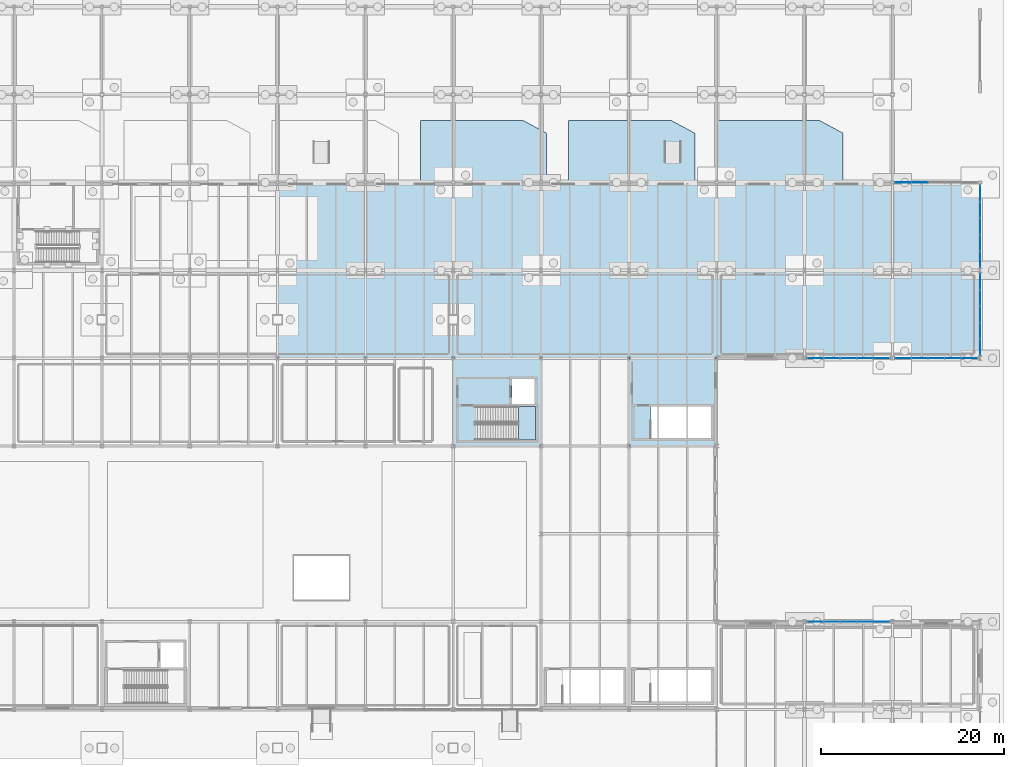
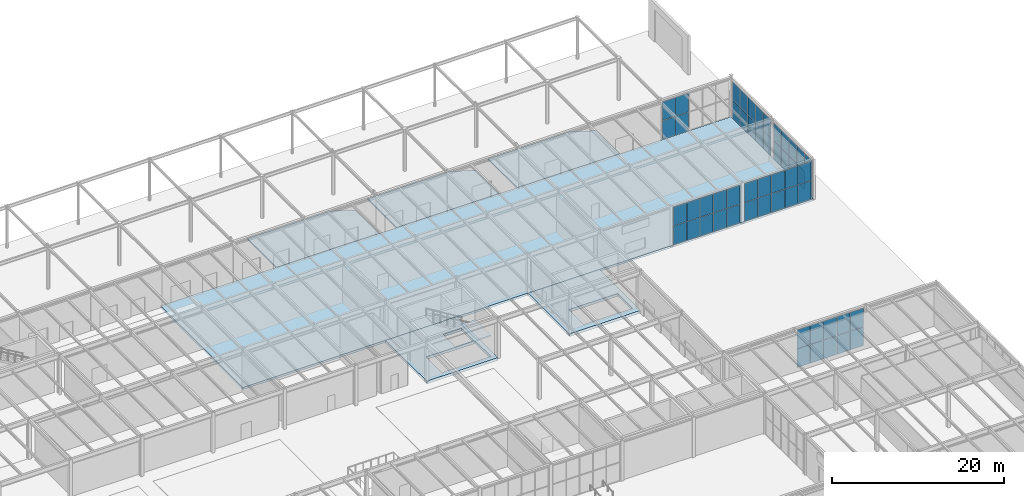
# One storey, part 111 of 142: 54 plates, 7 slabs, 7 elements without a shape of their own.
"""IFC4 building model written with IfcOpenShell, lengths in metres."""

from ifc_helpers import new_model, si_unit, direction, frame, origin, origin_2d, place, context, subcontext, project, spatial, polyline, rectangle, outline, extrude, material, layer, layer_set, type_object, element, aggregate, save


model = new_model("IFC4")

# Units and contexts
model_context = context("Model", 3, precision=1e-05, world=origin(), true_north=direction((0.0, 1.0)))
body_context = subcontext(model_context, "Body", "Model", "MODEL_VIEW")
ifc_project = project(units=[si_unit("LENGTHUNIT", "METRE"), si_unit("AREAUNIT", "SQUARE_METRE"), si_unit("VOLUMEUNIT", "CUBIC_METRE"), si_unit("PLANEANGLEUNIT", "RADIAN"), si_unit("MASSUNIT", "GRAM", prefix="KILO")], contexts=[model_context])

# Site, building, storey
site_placement = place(None, origin())
site = spatial("IfcSite", under=ifc_project, at=site_placement, CompositionType="ELEMENT")
building_placement = place(site_placement, origin())
building = spatial("IfcBuilding", under=site, at=building_placement, Name="Coralgate Yard Interchange", CompositionType="ELEMENT")
storey_placement = place(building_placement, origin())
storey = spatial("IfcBuildingStorey", under=building, at=storey_placement, Name="L00", CompositionType="ELEMENT", Elevation=0.0)

# Curtain wall, plates
ifc_material_1 = material(Name="Anodised coastal aluminium and solar-control low-E glass", Category="aluminium")
curtain_wall_type_1 = type_object("IfcCurtainWallType", Name="CW-CW-L00-A", PredefinedType="NOTDEFINED", material=ifc_material_1)
curtain_wall_1_placement = place(storey_placement, origin())
curtain_wall_1 = element("IfcCurtainWall", 1, at=curtain_wall_1_placement, inside=storey, type_object=curtain_wall_type_1, Name="L00 unitised curtain wall CW-L00-N-17-04", PredefinedType="NOTDEFINED")
ifc_material_2 = material(Name="Solar-control double-glazed low-E glass unit", Category="glass")
ifc_layer_1 = layer(ifc_material_2, 0.0419921875)
ifc_layer_set_1 = layer_set([ifc_layer_1], Name="Solar-control double-glazed low-E glass unit")
plate_type = type_object("IfcPlateType", Name="PLT-CP-42", PredefinedType="CURTAIN_PANEL", material=ifc_layer_set_1)
plate_1_placement = place(storey_placement, frame((164.39990234375, 48.0, 0.025146484375), z_axis=(0.0, 0.0, 1.0), x_axis=(1.0, 0.0, 0.0)))
plate_1 = element("IfcPlate", 2, at=plate_1_placement, type_object=plate_type, Name="CW-L00-N-17-04 solar-control glazing panel 1-1", PredefinedType="CURTAIN_PANEL", context=body_context, shape_type="SweptSolid", body=[
    extrude(rectangle(XDim=1.75, YDim=0.0419921875, at=origin_2d()), origin(), (0.0, 0.0, 1.0), 2.64990234375),
])
plate_2_placement = place(storey_placement, frame((164.39990234375, 48.0, 2.72509765625), z_axis=(0.0, 0.0, 1.0), x_axis=(1.0, 0.0, 0.0)))
plate_2 = element("IfcPlate", 3, at=plate_2_placement, type_object=plate_type, Name="CW-L00-N-17-04 solar-control glazing panel 1-2", PredefinedType="CURTAIN_PANEL", context=body_context, shape_type="SweptSolid", body=[
    extrude(rectangle(XDim=1.75, YDim=0.0419921875, at=origin_2d()), origin(), (0.0, 0.0, 1.0), 2.64990234375),
])
plate_3_placement = place(storey_placement, frame((166.199951171875, 48.0, 0.025146484375), z_axis=(0.0, 0.0, 1.0), x_axis=(1.0, 0.0, 0.0)))
plate_3 = element("IfcPlate", 4, at=plate_3_placement, type_object=plate_type, Name="CW-L00-N-17-04 solar-control glazing panel 2-1", PredefinedType="CURTAIN_PANEL", context=body_context, shape_type="SweptSolid", body=[
    extrude(rectangle(XDim=1.75, YDim=0.0419921875, at=origin_2d()), origin(), (0.0, 0.0, 1.0), 2.64990234375),
])
plate_4_placement = place(storey_placement, frame((166.199951171875, 48.0, 2.72509765625), z_axis=(0.0, 0.0, 1.0), x_axis=(1.0, 0.0, 0.0)))
plate_4 = element("IfcPlate", 5, at=plate_4_placement, type_object=plate_type, Name="CW-L00-N-17-04 solar-control glazing panel 2-2", PredefinedType="CURTAIN_PANEL", context=body_context, shape_type="SweptSolid", body=[
    extrude(rectangle(XDim=1.75, YDim=0.0419921875, at=origin_2d()), origin(), (0.0, 0.0, 1.0), 2.64990234375),
])
plate_5_placement = place(storey_placement, frame((168.0, 48.0, 0.025146484375), z_axis=(0.0, 0.0, 1.0), x_axis=(1.0, 0.0, 0.0)))
plate_5 = element("IfcPlate", 6, at=plate_5_placement, type_object=plate_type, Name="CW-L00-N-17-04 solar-control glazing panel 3-1", PredefinedType="CURTAIN_PANEL", context=body_context, shape_type="SweptSolid", body=[
    extrude(rectangle(XDim=1.75, YDim=0.0419921875, at=origin_2d()), origin(), (0.0, 0.0, 1.0), 2.64990234375),
])
plate_6_placement = place(storey_placement, frame((168.0, 48.0, 2.72509765625), z_axis=(0.0, 0.0, 1.0), x_axis=(1.0, 0.0, 0.0)))
plate_6 = element("IfcPlate", 7, at=plate_6_placement, type_object=plate_type, Name="CW-L00-N-17-04 solar-control glazing panel 3-2", PredefinedType="CURTAIN_PANEL", context=body_context, shape_type="SweptSolid", body=[
    extrude(rectangle(XDim=1.75, YDim=0.0419921875, at=origin_2d()), origin(), (0.0, 0.0, 1.0), 2.64990234375),
])
plate_7_placement = place(storey_placement, frame((169.800048828125, 48.0, 0.025146484375), z_axis=(0.0, 0.0, 1.0), x_axis=(1.0, 0.0, 0.0)))
plate_7 = element("IfcPlate", 8, at=plate_7_placement, type_object=plate_type, Name="CW-L00-N-17-04 solar-control glazing panel 4-1", PredefinedType="CURTAIN_PANEL", context=body_context, shape_type="SweptSolid", body=[
    extrude(rectangle(XDim=1.75, YDim=0.0419921875, at=origin_2d()), origin(), (0.0, 0.0, 1.0), 2.64990234375),
])
plate_8_placement = place(storey_placement, frame((169.800048828125, 48.0, 2.72509765625), z_axis=(0.0, 0.0, 1.0), x_axis=(1.0, 0.0, 0.0)))
plate_8 = element("IfcPlate", 9, at=plate_8_placement, type_object=plate_type, Name="CW-L00-N-17-04 solar-control glazing panel 4-2", PredefinedType="CURTAIN_PANEL", context=body_context, shape_type="SweptSolid", body=[
    extrude(rectangle(XDim=1.75, YDim=0.0419921875, at=origin_2d()), origin(), (0.0, 0.0, 1.0), 2.64990234375),
])
plate_9_placement = place(storey_placement, frame((171.60009765625, 48.0, 0.025146484375), z_axis=(0.0, 0.0, 1.0), x_axis=(1.0, 0.0, 0.0)))
plate_9 = element("IfcPlate", 10, at=plate_9_placement, type_object=plate_type, Name="CW-L00-N-17-04 solar-control glazing panel 5-1", PredefinedType="CURTAIN_PANEL", context=body_context, shape_type="SweptSolid", body=[
    extrude(rectangle(XDim=1.75, YDim=0.0419921875, at=origin_2d()), origin(), (0.0, 0.0, 1.0), 2.64990234375),
])
plate_10_placement = place(storey_placement, frame((171.60009765625, 48.0, 2.72509765625), z_axis=(0.0, 0.0, 1.0), x_axis=(1.0, 0.0, 0.0)))
plate_10 = element("IfcPlate", 11, at=plate_10_placement, type_object=plate_type, Name="CW-L00-N-17-04 solar-control glazing panel 5-2", PredefinedType="CURTAIN_PANEL", context=body_context, shape_type="SweptSolid", body=[
    extrude(rectangle(XDim=1.75, YDim=0.0419921875, at=origin_2d()), origin(), (0.0, 0.0, 1.0), 2.64990234375),
])
aggregate(curtain_wall_1, [plate_1, plate_2, plate_3, plate_4, plate_5, plate_6, plate_7, plate_8, plate_9, plate_10])

curtain_wall_type_2 = type_object("IfcCurtainWallType", Name="CW-CW-L00-B", PredefinedType="NOTDEFINED", material=ifc_material_1)
curtain_wall_2_placement = place(storey_placement, origin())
curtain_wall_2 = element("IfcCurtainWall", 12, at=curtain_wall_2_placement, inside=storey, type_object=curtain_wall_type_2, Name="L00 unitised curtain wall CW-L00-S-17-08", PredefinedType="NOTDEFINED")
plate_11_placement = place(storey_placement, frame((171.60009765625, 76.800048828125, 0.025146484375), z_axis=(0.0, 0.0, 1.0), x_axis=(-1.0, 0.0, 0.0)))
plate_11 = element("IfcPlate", 13, at=plate_11_placement, type_object=plate_type, Name="CW-L00-S-17-08 solar-control glazing panel 1-1", PredefinedType="CURTAIN_PANEL", context=body_context, shape_type="SweptSolid", body=[
    extrude(rectangle(XDim=1.75, YDim=0.0419921875, at=origin_2d()), origin(), (0.0, 0.0, 1.0), 2.64990234375),
])
plate_12_placement = place(storey_placement, frame((171.60009765625, 76.800048828125, 2.72509765625), z_axis=(0.0, 0.0, 1.0), x_axis=(-1.0, 0.0, 0.0)))
plate_12 = element("IfcPlate", 14, at=plate_12_placement, type_object=plate_type, Name="CW-L00-S-17-08 solar-control glazing panel 1-2", PredefinedType="CURTAIN_PANEL", context=body_context, shape_type="SweptSolid", body=[
    extrude(rectangle(XDim=1.75, YDim=0.0419921875, at=origin_2d()), origin(), (0.0, 0.0, 1.0), 2.64990234375),
])
plate_13_placement = place(storey_placement, frame((169.800048828125, 76.800048828125, 0.025146484375), z_axis=(0.0, 0.0, 1.0), x_axis=(-1.0, 0.0, 0.0)))
plate_13 = element("IfcPlate", 15, at=plate_13_placement, type_object=plate_type, Name="CW-L00-S-17-08 solar-control glazing panel 2-1", PredefinedType="CURTAIN_PANEL", context=body_context, shape_type="SweptSolid", body=[
    extrude(rectangle(XDim=1.75, YDim=0.0419921875, at=origin_2d()), origin(), (0.0, 0.0, 1.0), 2.64990234375),
])
plate_14_placement = place(storey_placement, frame((169.800048828125, 76.800048828125, 2.72509765625), z_axis=(0.0, 0.0, 1.0), x_axis=(-1.0, 0.0, 0.0)))
plate_14 = element("IfcPlate", 16, at=plate_14_placement, type_object=plate_type, Name="CW-L00-S-17-08 solar-control glazing panel 2-2", PredefinedType="CURTAIN_PANEL", context=body_context, shape_type="SweptSolid", body=[
    extrude(rectangle(XDim=1.75, YDim=0.0419921875, at=origin_2d()), origin(), (0.0, 0.0, 1.0), 2.64990234375),
])
plate_15_placement = place(storey_placement, frame((168.0, 76.800048828125, 0.025146484375), z_axis=(0.0, 0.0, 1.0), x_axis=(-1.0, 0.0, 0.0)))
plate_15 = element("IfcPlate", 17, at=plate_15_placement, type_object=plate_type, Name="CW-L00-S-17-08 solar-control glazing panel 3-1", PredefinedType="CURTAIN_PANEL", context=body_context, shape_type="SweptSolid", body=[
    extrude(rectangle(XDim=1.75, YDim=0.0419921875, at=origin_2d()), origin(), (0.0, 0.0, 1.0), 2.64990234375),
])
plate_16_placement = place(storey_placement, frame((168.0, 76.800048828125, 2.72509765625), z_axis=(0.0, 0.0, 1.0), x_axis=(-1.0, 0.0, 0.0)))
plate_16 = element("IfcPlate", 18, at=plate_16_placement, type_object=plate_type, Name="CW-L00-S-17-08 solar-control glazing panel 3-2", PredefinedType="CURTAIN_PANEL", context=body_context, shape_type="SweptSolid", body=[
    extrude(rectangle(XDim=1.75, YDim=0.0419921875, at=origin_2d()), origin(), (0.0, 0.0, 1.0), 2.64990234375),
])
plate_17_placement = place(storey_placement, frame((166.199951171875, 76.800048828125, 0.025146484375), z_axis=(0.0, 0.0, 1.0), x_axis=(-1.0, 0.0, 0.0)))
plate_17 = element("IfcPlate", 19, at=plate_17_placement, type_object=plate_type, Name="CW-L00-S-17-08 solar-control glazing panel 4-1", PredefinedType="CURTAIN_PANEL", context=body_context, shape_type="SweptSolid", body=[
    extrude(rectangle(XDim=1.75, YDim=0.0419921875, at=origin_2d()), origin(), (0.0, 0.0, 1.0), 2.64990234375),
])
plate_18_placement = place(storey_placement, frame((166.199951171875, 76.800048828125, 2.72509765625), z_axis=(0.0, 0.0, 1.0), x_axis=(-1.0, 0.0, 0.0)))
plate_18 = element("IfcPlate", 20, at=plate_18_placement, type_object=plate_type, Name="CW-L00-S-17-08 solar-control glazing panel 4-2", PredefinedType="CURTAIN_PANEL", context=body_context, shape_type="SweptSolid", body=[
    extrude(rectangle(XDim=1.75, YDim=0.0419921875, at=origin_2d()), origin(), (0.0, 0.0, 1.0), 2.64990234375),
])
plate_19_placement = place(storey_placement, frame((164.39990234375, 76.800048828125, 0.025146484375), z_axis=(0.0, 0.0, 1.0), x_axis=(-1.0, 0.0, 0.0)))
plate_19 = element("IfcPlate", 21, at=plate_19_placement, type_object=plate_type, Name="CW-L00-S-17-08 solar-control glazing panel 5-1", PredefinedType="CURTAIN_PANEL", context=body_context, shape_type="SweptSolid", body=[
    extrude(rectangle(XDim=1.75, YDim=0.0419921875, at=origin_2d()), origin(), (0.0, 0.0, 1.0), 2.64990234375),
])
plate_20_placement = place(storey_placement, frame((164.39990234375, 76.800048828125, 2.72509765625), z_axis=(0.0, 0.0, 1.0), x_axis=(-1.0, 0.0, 0.0)))
plate_20 = element("IfcPlate", 22, at=plate_20_placement, type_object=plate_type, Name="CW-L00-S-17-08 solar-control glazing panel 5-2", PredefinedType="CURTAIN_PANEL", context=body_context, shape_type="SweptSolid", body=[
    extrude(rectangle(XDim=1.75, YDim=0.0419921875, at=origin_2d()), origin(), (0.0, 0.0, 1.0), 2.64990234375),
])
aggregate(curtain_wall_2, [plate_11, plate_12, plate_13, plate_14, plate_15, plate_16, plate_17, plate_18, plate_19, plate_20])

curtain_wall_3_placement = place(storey_placement, origin())
curtain_wall_3 = element("IfcCurtainWall", 23, at=curtain_wall_3_placement, inside=storey, type_object=curtain_wall_type_1, Name="L00 unitised curtain wall CW-L00-S-18-08", PredefinedType="NOTDEFINED")
plate_21_placement = place(storey_placement, frame((181.199951171875, 76.800048828125, 0.025146484375), z_axis=(0.0, 0.0, 1.0), x_axis=(-1.0, 0.0, 0.0)))
plate_21 = element("IfcPlate", 24, at=plate_21_placement, type_object=plate_type, Name="CW-L00-S-18-08 solar-control glazing panel 1-1", PredefinedType="CURTAIN_PANEL", context=body_context, shape_type="SweptSolid", body=[
    extrude(rectangle(XDim=1.75, YDim=0.0419921875, at=origin_2d()), origin(), (0.0, 0.0, 1.0), 2.64990234375),
])
plate_22_placement = place(storey_placement, frame((181.199951171875, 76.800048828125, 2.72509765625), z_axis=(0.0, 0.0, 1.0), x_axis=(-1.0, 0.0, 0.0)))
plate_22 = element("IfcPlate", 25, at=plate_22_placement, type_object=plate_type, Name="CW-L00-S-18-08 solar-control glazing panel 1-2", PredefinedType="CURTAIN_PANEL", context=body_context, shape_type="SweptSolid", body=[
    extrude(rectangle(XDim=1.75, YDim=0.0419921875, at=origin_2d()), origin(), (0.0, 0.0, 1.0), 2.64990234375),
])
plate_23_placement = place(storey_placement, frame((179.39990234375, 76.800048828125, 0.025146484375), z_axis=(0.0, 0.0, 1.0), x_axis=(-1.0, 0.0, 0.0)))
plate_23 = element("IfcPlate", 26, at=plate_23_placement, type_object=plate_type, Name="CW-L00-S-18-08 solar-control glazing panel 2-1", PredefinedType="CURTAIN_PANEL", context=body_context, shape_type="SweptSolid", body=[
    extrude(rectangle(XDim=1.75, YDim=0.0419921875, at=origin_2d()), origin(), (0.0, 0.0, 1.0), 2.64990234375),
])
plate_24_placement = place(storey_placement, frame((179.39990234375, 76.800048828125, 2.72509765625), z_axis=(0.0, 0.0, 1.0), x_axis=(-1.0, 0.0, 0.0)))
plate_24 = element("IfcPlate", 27, at=plate_24_placement, type_object=plate_type, Name="CW-L00-S-18-08 solar-control glazing panel 2-2", PredefinedType="CURTAIN_PANEL", context=body_context, shape_type="SweptSolid", body=[
    extrude(rectangle(XDim=1.75, YDim=0.0419921875, at=origin_2d()), origin(), (0.0, 0.0, 1.0), 2.64990234375),
])
plate_25_placement = place(storey_placement, frame((177.60009765625, 76.800048828125, 0.025146484375), z_axis=(0.0, 0.0, 1.0), x_axis=(-1.0, 0.0, 0.0)))
plate_25 = element("IfcPlate", 28, at=plate_25_placement, type_object=plate_type, Name="CW-L00-S-18-08 solar-control glazing panel 3-1", PredefinedType="CURTAIN_PANEL", context=body_context, shape_type="SweptSolid", body=[
    extrude(rectangle(XDim=1.75, YDim=0.0419921875, at=origin_2d()), origin(), (0.0, 0.0, 1.0), 2.64990234375),
])
plate_26_placement = place(storey_placement, frame((177.60009765625, 76.800048828125, 2.72509765625), z_axis=(0.0, 0.0, 1.0), x_axis=(-1.0, 0.0, 0.0)))
plate_26 = element("IfcPlate", 29, at=plate_26_placement, type_object=plate_type, Name="CW-L00-S-18-08 solar-control glazing panel 3-2", PredefinedType="CURTAIN_PANEL", context=body_context, shape_type="SweptSolid", body=[
    extrude(rectangle(XDim=1.75, YDim=0.0419921875, at=origin_2d()), origin(), (0.0, 0.0, 1.0), 2.64990234375),
])
plate_27_placement = place(storey_placement, frame((175.800048828125, 76.800048828125, 0.025146484375), z_axis=(0.0, 0.0, 1.0), x_axis=(-1.0, 0.0, 0.0)))
plate_27 = element("IfcPlate", 30, at=plate_27_placement, type_object=plate_type, Name="CW-L00-S-18-08 solar-control glazing panel 4-1", PredefinedType="CURTAIN_PANEL", context=body_context, shape_type="SweptSolid", body=[
    extrude(rectangle(XDim=1.75, YDim=0.0419921875, at=origin_2d()), origin(), (0.0, 0.0, 1.0), 2.64990234375),
])
plate_28_placement = place(storey_placement, frame((175.800048828125, 76.800048828125, 2.72509765625), z_axis=(0.0, 0.0, 1.0), x_axis=(-1.0, 0.0, 0.0)))
plate_28 = element("IfcPlate", 31, at=plate_28_placement, type_object=plate_type, Name="CW-L00-S-18-08 solar-control glazing panel 4-2", PredefinedType="CURTAIN_PANEL", context=body_context, shape_type="SweptSolid", body=[
    extrude(rectangle(XDim=1.75, YDim=0.0419921875, at=origin_2d()), origin(), (0.0, 0.0, 1.0), 2.64990234375),
])
plate_29_placement = place(storey_placement, frame((174.0, 76.800048828125, 0.025146484375), z_axis=(0.0, 0.0, 1.0), x_axis=(-1.0, 0.0, 0.0)))
plate_29 = element("IfcPlate", 32, at=plate_29_placement, type_object=plate_type, Name="CW-L00-S-18-08 solar-control glazing panel 5-1", PredefinedType="CURTAIN_PANEL", context=body_context, shape_type="SweptSolid", body=[
    extrude(rectangle(XDim=1.75, YDim=0.0419921875, at=origin_2d()), origin(), (0.0, 0.0, 1.0), 2.64990234375),
])
plate_30_placement = place(storey_placement, frame((174.0, 76.800048828125, 2.72509765625), z_axis=(0.0, 0.0, 1.0), x_axis=(-1.0, 0.0, 0.0)))
plate_30 = element("IfcPlate", 33, at=plate_30_placement, type_object=plate_type, Name="CW-L00-S-18-08 solar-control glazing panel 5-2", PredefinedType="CURTAIN_PANEL", context=body_context, shape_type="SweptSolid", body=[
    extrude(rectangle(XDim=1.75, YDim=0.0419921875, at=origin_2d()), origin(), (0.0, 0.0, 1.0), 2.64990234375),
])
aggregate(curtain_wall_3, [plate_21, plate_22, plate_23, plate_24, plate_25, plate_26, plate_27, plate_28, plate_29, plate_30])

curtain_wall_4_placement = place(storey_placement, origin())
curtain_wall_4 = element("IfcCurtainWall", 34, at=curtain_wall_4_placement, inside=storey, type_object=curtain_wall_type_2, Name="L00 unitised curtain wall CW-L00-E-18-08", PredefinedType="NOTDEFINED")
plate_31_placement = place(storey_placement, frame((182.39990234375, 85.199951171875, 0.02490234375), z_axis=(0.0, 0.0, 1.0), x_axis=(0.0, -1.0, 0.0)))
plate_31 = element("IfcPlate", 35, at=plate_31_placement, type_object=plate_type, Name="CW-L00-E-18-08 solar-control glazing panel 1-1", PredefinedType="CURTAIN_PANEL", context=body_context, shape_type="SweptSolid", body=[
    extrude(rectangle(XDim=1.75, YDim=0.0419921875, at=origin_2d()), origin(), (0.0, 0.0, 1.0), 2.558349609375),
])
plate_32_placement = place(storey_placement, frame((182.39990234375, 85.199951171875, 2.63330078125), z_axis=(0.0, 0.0, 1.0), x_axis=(0.0, -1.0, 0.0)))
plate_32 = element("IfcPlate", 36, at=plate_32_placement, type_object=plate_type, Name="CW-L00-E-18-08 solar-control glazing panel 1-2", PredefinedType="CURTAIN_PANEL", context=body_context, shape_type="SweptSolid", body=[
    extrude(rectangle(XDim=1.75, YDim=0.0419921875, at=origin_2d()), origin(), (0.0, 0.0, 1.0), 2.558349609375),
])
plate_33_placement = place(storey_placement, frame((182.39990234375, 83.39990234375, 0.02490234375), z_axis=(0.0, 0.0, 1.0), x_axis=(0.0, -1.0, 0.0)))
plate_33 = element("IfcPlate", 37, at=plate_33_placement, type_object=plate_type, Name="CW-L00-E-18-08 solar-control glazing panel 2-1", PredefinedType="CURTAIN_PANEL", context=body_context, shape_type="SweptSolid", body=[
    extrude(rectangle(XDim=1.75, YDim=0.0419921875, at=origin_2d()), origin(), (0.0, 0.0, 1.0), 2.558349609375),
])
plate_34_placement = place(storey_placement, frame((182.39990234375, 83.39990234375, 2.63330078125), z_axis=(0.0, 0.0, 1.0), x_axis=(0.0, -1.0, 0.0)))
plate_34 = element("IfcPlate", 38, at=plate_34_placement, type_object=plate_type, Name="CW-L00-E-18-08 solar-control glazing panel 2-2", PredefinedType="CURTAIN_PANEL", context=body_context, shape_type="SweptSolid", body=[
    extrude(rectangle(XDim=1.75, YDim=0.0419921875, at=origin_2d()), origin(), (0.0, 0.0, 1.0), 2.558349609375),
])
plate_35_placement = place(storey_placement, frame((182.39990234375, 81.60009765625, 0.02490234375), z_axis=(0.0, 0.0, 1.0), x_axis=(0.0, -1.0, 0.0)))
plate_35 = element("IfcPlate", 39, at=plate_35_placement, type_object=plate_type, Name="CW-L00-E-18-08 solar-control glazing panel 3-1", PredefinedType="CURTAIN_PANEL", context=body_context, shape_type="SweptSolid", body=[
    extrude(rectangle(XDim=1.75, YDim=0.0419921875, at=origin_2d()), origin(), (0.0, 0.0, 1.0), 2.558349609375),
])
plate_36_placement = place(storey_placement, frame((182.39990234375, 81.60009765625, 2.63330078125), z_axis=(0.0, 0.0, 1.0), x_axis=(0.0, -1.0, 0.0)))
plate_36 = element("IfcPlate", 40, at=plate_36_placement, type_object=plate_type, Name="CW-L00-E-18-08 solar-control glazing panel 3-2", PredefinedType="CURTAIN_PANEL", context=body_context, shape_type="SweptSolid", body=[
    extrude(rectangle(XDim=1.75, YDim=0.0419921875, at=origin_2d()), origin(), (0.0, 0.0, 1.0), 2.558349609375),
])
plate_37_placement = place(storey_placement, frame((182.39990234375, 79.800048828125, 0.02490234375), z_axis=(0.0, 0.0, 1.0), x_axis=(0.0, -1.0, 0.0)))
plate_37 = element("IfcPlate", 41, at=plate_37_placement, type_object=plate_type, Name="CW-L00-E-18-08 solar-control glazing panel 4-1", PredefinedType="CURTAIN_PANEL", context=body_context, shape_type="SweptSolid", body=[
    extrude(rectangle(XDim=1.75, YDim=0.0419921875, at=origin_2d()), origin(), (0.0, 0.0, 1.0), 2.558349609375),
])
plate_38_placement = place(storey_placement, frame((182.39990234375, 79.800048828125, 2.63330078125), z_axis=(0.0, 0.0, 1.0), x_axis=(0.0, -1.0, 0.0)))
plate_38 = element("IfcPlate", 42, at=plate_38_placement, type_object=plate_type, Name="CW-L00-E-18-08 solar-control glazing panel 4-2", PredefinedType="CURTAIN_PANEL", context=body_context, shape_type="SweptSolid", body=[
    extrude(rectangle(XDim=1.75, YDim=0.0419921875, at=origin_2d()), origin(), (0.0, 0.0, 1.0), 2.558349609375),
])
plate_39_placement = place(storey_placement, frame((182.39990234375, 78.0, 0.02490234375), z_axis=(0.0, 0.0, 1.0), x_axis=(0.0, -1.0, 0.0)))
plate_39 = element("IfcPlate", 43, at=plate_39_placement, type_object=plate_type, Name="CW-L00-E-18-08 solar-control glazing panel 5-1", PredefinedType="CURTAIN_PANEL", context=body_context, shape_type="SweptSolid", body=[
    extrude(rectangle(XDim=1.75, YDim=0.0419921875, at=origin_2d()), origin(), (0.0, 0.0, 1.0), 2.558349609375),
])
plate_40_placement = place(storey_placement, frame((182.39990234375, 78.0, 2.63330078125), z_axis=(0.0, 0.0, 1.0), x_axis=(0.0, -1.0, 0.0)))
plate_40 = element("IfcPlate", 44, at=plate_40_placement, type_object=plate_type, Name="CW-L00-E-18-08 solar-control glazing panel 5-2", PredefinedType="CURTAIN_PANEL", context=body_context, shape_type="SweptSolid", body=[
    extrude(rectangle(XDim=1.75, YDim=0.0419921875, at=origin_2d()), origin(), (0.0, 0.0, 1.0), 2.558349609375),
])
aggregate(curtain_wall_4, [plate_31, plate_32, plate_33, plate_34, plate_35, plate_36, plate_37, plate_38, plate_39, plate_40])

curtain_wall_5_placement = place(storey_placement, origin())
curtain_wall_5 = element("IfcCurtainWall", 45, at=curtain_wall_5_placement, inside=storey, type_object=curtain_wall_type_1, Name="L00 unitised curtain wall CW-L00-N-18-09", PredefinedType="NOTDEFINED")
plate_41_placement = place(storey_placement, frame((174.0, 96.0, 0.025146484375), z_axis=(0.0, 0.0, 1.0), x_axis=(1.0, 0.0, 0.0)))
plate_41 = element("IfcPlate", 46, at=plate_41_placement, type_object=plate_type, Name="CW-L00-N-18-09 solar-control glazing panel 1-1", PredefinedType="CURTAIN_PANEL", context=body_context, shape_type="SweptSolid", body=[
    extrude(rectangle(XDim=1.75, YDim=0.0419921875, at=origin_2d()), origin(), (0.0, 0.0, 1.0), 2.64990234375),
])
plate_42_placement = place(storey_placement, frame((174.0, 96.0, 2.72509765625), z_axis=(0.0, 0.0, 1.0), x_axis=(1.0, 0.0, 0.0)))
plate_42 = element("IfcPlate", 47, at=plate_42_placement, type_object=plate_type, Name="CW-L00-N-18-09 solar-control glazing panel 1-2", PredefinedType="CURTAIN_PANEL", context=body_context, shape_type="SweptSolid", body=[
    extrude(rectangle(XDim=1.75, YDim=0.0419921875, at=origin_2d()), origin(), (0.0, 0.0, 1.0), 2.64990234375),
])
plate_43_placement = place(storey_placement, frame((175.800048828125, 96.0, 0.025146484375), z_axis=(0.0, 0.0, 1.0), x_axis=(1.0, 0.0, 0.0)))
plate_43 = element("IfcPlate", 48, at=plate_43_placement, type_object=plate_type, Name="CW-L00-N-18-09 solar-control glazing panel 2-1", PredefinedType="CURTAIN_PANEL", context=body_context, shape_type="SweptSolid", body=[
    extrude(rectangle(XDim=1.75, YDim=0.0419921875, at=origin_2d()), origin(), (0.0, 0.0, 1.0), 2.64990234375),
])
plate_44_placement = place(storey_placement, frame((175.800048828125, 96.0, 2.72509765625), z_axis=(0.0, 0.0, 1.0), x_axis=(1.0, 0.0, 0.0)))
plate_44 = element("IfcPlate", 49, at=plate_44_placement, type_object=plate_type, Name="CW-L00-N-18-09 solar-control glazing panel 2-2", PredefinedType="CURTAIN_PANEL", context=body_context, shape_type="SweptSolid", body=[
    extrude(rectangle(XDim=1.75, YDim=0.0419921875, at=origin_2d()), origin(), (0.0, 0.0, 1.0), 2.64990234375),
])
aggregate(curtain_wall_5, [plate_41, plate_42, plate_43, plate_44])

curtain_wall_6_placement = place(storey_placement, origin())
curtain_wall_6 = element("IfcCurtainWall", 50, at=curtain_wall_6_placement, inside=storey, type_object=curtain_wall_type_2, Name="L00 unitised curtain wall CW-L00-E-18-09", PredefinedType="NOTDEFINED")
plate_45_placement = place(storey_placement, frame((182.39990234375, 94.800048828125, 0.02490234375), z_axis=(0.0, 0.0, 1.0), x_axis=(0.0, -1.0, 0.0)))
plate_45 = element("IfcPlate", 51, at=plate_45_placement, type_object=plate_type, Name="CW-L00-E-18-09 solar-control glazing panel 1-1", PredefinedType="CURTAIN_PANEL", context=body_context, shape_type="SweptSolid", body=[
    extrude(rectangle(XDim=1.75, YDim=0.0419921875, at=origin_2d()), origin(), (0.0, 0.0, 1.0), 2.558349609375),
])
plate_46_placement = place(storey_placement, frame((182.39990234375, 94.800048828125, 2.63330078125), z_axis=(0.0, 0.0, 1.0), x_axis=(0.0, -1.0, 0.0)))
plate_46 = element("IfcPlate", 52, at=plate_46_placement, type_object=plate_type, Name="CW-L00-E-18-09 solar-control glazing panel 1-2", PredefinedType="CURTAIN_PANEL", context=body_context, shape_type="SweptSolid", body=[
    extrude(rectangle(XDim=1.75, YDim=0.0419921875, at=origin_2d()), origin(), (0.0, 0.0, 1.0), 2.558349609375),
])
plate_47_placement = place(storey_placement, frame((182.39990234375, 93.0, 0.02490234375), z_axis=(0.0, 0.0, 1.0), x_axis=(0.0, -1.0, 0.0)))
plate_47 = element("IfcPlate", 53, at=plate_47_placement, type_object=plate_type, Name="CW-L00-E-18-09 solar-control glazing panel 2-1", PredefinedType="CURTAIN_PANEL", context=body_context, shape_type="SweptSolid", body=[
    extrude(rectangle(XDim=1.75, YDim=0.0419921875, at=origin_2d()), origin(), (0.0, 0.0, 1.0), 2.558349609375),
])
plate_48_placement = place(storey_placement, frame((182.39990234375, 93.0, 2.63330078125), z_axis=(0.0, 0.0, 1.0), x_axis=(0.0, -1.0, 0.0)))
plate_48 = element("IfcPlate", 54, at=plate_48_placement, type_object=plate_type, Name="CW-L00-E-18-09 solar-control glazing panel 2-2", PredefinedType="CURTAIN_PANEL", context=body_context, shape_type="SweptSolid", body=[
    extrude(rectangle(XDim=1.75, YDim=0.0419921875, at=origin_2d()), origin(), (0.0, 0.0, 1.0), 2.558349609375),
])
plate_49_placement = place(storey_placement, frame((182.39990234375, 91.199951171875, 0.02490234375), z_axis=(0.0, 0.0, 1.0), x_axis=(0.0, -1.0, 0.0)))
plate_49 = element("IfcPlate", 55, at=plate_49_placement, type_object=plate_type, Name="CW-L00-E-18-09 solar-control glazing panel 3-1", PredefinedType="CURTAIN_PANEL", context=body_context, shape_type="SweptSolid", body=[
    extrude(rectangle(XDim=1.75, YDim=0.0419921875, at=origin_2d()), origin(), (0.0, 0.0, 1.0), 2.558349609375),
])
plate_50_placement = place(storey_placement, frame((182.39990234375, 91.199951171875, 2.63330078125), z_axis=(0.0, 0.0, 1.0), x_axis=(0.0, -1.0, 0.0)))
plate_50 = element("IfcPlate", 56, at=plate_50_placement, type_object=plate_type, Name="CW-L00-E-18-09 solar-control glazing panel 3-2", PredefinedType="CURTAIN_PANEL", context=body_context, shape_type="SweptSolid", body=[
    extrude(rectangle(XDim=1.75, YDim=0.0419921875, at=origin_2d()), origin(), (0.0, 0.0, 1.0), 2.558349609375),
])
plate_51_placement = place(storey_placement, frame((182.39990234375, 89.39990234375, 0.02490234375), z_axis=(0.0, 0.0, 1.0), x_axis=(0.0, -1.0, 0.0)))
plate_51 = element("IfcPlate", 57, at=plate_51_placement, type_object=plate_type, Name="CW-L00-E-18-09 solar-control glazing panel 4-1", PredefinedType="CURTAIN_PANEL", context=body_context, shape_type="SweptSolid", body=[
    extrude(rectangle(XDim=1.75, YDim=0.0419921875, at=origin_2d()), origin(), (0.0, 0.0, 1.0), 2.558349609375),
])
plate_52_placement = place(storey_placement, frame((182.39990234375, 89.39990234375, 2.63330078125), z_axis=(0.0, 0.0, 1.0), x_axis=(0.0, -1.0, 0.0)))
plate_52 = element("IfcPlate", 58, at=plate_52_placement, type_object=plate_type, Name="CW-L00-E-18-09 solar-control glazing panel 4-2", PredefinedType="CURTAIN_PANEL", context=body_context, shape_type="SweptSolid", body=[
    extrude(rectangle(XDim=1.75, YDim=0.0419921875, at=origin_2d()), origin(), (0.0, 0.0, 1.0), 2.558349609375),
])
plate_53_placement = place(storey_placement, frame((182.39990234375, 87.60009765625, 0.02490234375), z_axis=(0.0, 0.0, 1.0), x_axis=(0.0, -1.0, 0.0)))
plate_53 = element("IfcPlate", 59, at=plate_53_placement, type_object=plate_type, Name="CW-L00-E-18-09 solar-control glazing panel 5-1", PredefinedType="CURTAIN_PANEL", context=body_context, shape_type="SweptSolid", body=[
    extrude(rectangle(XDim=1.75, YDim=0.0419921875, at=origin_2d()), origin(), (0.0, 0.0, 1.0), 2.558349609375),
])
plate_54_placement = place(storey_placement, frame((182.39990234375, 87.60009765625, 2.63330078125), z_axis=(0.0, 0.0, 1.0), x_axis=(0.0, -1.0, 0.0)))
plate_54 = element("IfcPlate", 60, at=plate_54_placement, type_object=plate_type, Name="CW-L00-E-18-09 solar-control glazing panel 5-2", PredefinedType="CURTAIN_PANEL", context=body_context, shape_type="SweptSolid", body=[
    extrude(rectangle(XDim=1.75, YDim=0.0419921875, at=origin_2d()), origin(), (0.0, 0.0, 1.0), 2.558349609375),
])
aggregate(curtain_wall_6, [plate_45, plate_46, plate_47, plate_48, plate_49, plate_50, plate_51, plate_52, plate_53, plate_54])

# Stair, slab
ifc_material_3 = material(Name="Concrete C40/50", Category="concrete")
stair_type = type_object("IfcStairType", Name="STR-DL-175-60", PredefinedType="HALF_TURN_STAIR", material=ifc_material_3)
stair_placement = place(storey_placement, origin())
stair = element("IfcStair", 61, at=stair_placement, inside=storey, type_object=stair_type, Name="L00 Escape stair ST-07", PredefinedType="HALF_TURN_STAIR")
ifc_layer_2 = layer(ifc_material_3, 0.199951171875)
ifc_layer_set_2 = layer_set([ifc_layer_2], Name="Concrete C40/50")
slab_type_1 = type_object("IfcSlabType", Name="SLB-LND200", PredefinedType="LANDING", material=ifc_layer_set_2)
slab_1_placement = place(storey_placement, frame((0.0, 0.0, 2.800048828125)))
slab_1 = element("IfcSlab", 62, at=slab_1_placement, type_object=slab_type_1, Name="ST-07 landing 1", PredefinedType="LANDING", context=body_context, shape_type="SweptSolid", body=[
    extrude(outline(polyline([(131.9599609375, 67.85009765625), (133.800048828125, 67.85009765625), (133.800048828125, 71.510009765625), (131.9599609375, 71.510009765625), (131.9599609375, 67.85009765625)])), origin(), (0.0, 0.0, 1.0), 0.199951171875),
])
aggregate(stair, [slab_1])

# Slabs
ifc_layer_3 = layer(ifc_material_3, 0.199951171875)
ifc_layer_set_3 = layer_set([ifc_layer_3], Name="Concrete C40/50")
slab_type_2 = type_object("IfcSlabType", Name="SLB-SL-BUS200", PredefinedType="BASESLAB", material=ifc_layer_set_3)
slab_2_placement = place(storey_placement, frame((0.0, 0.0, -0.199951171875)))
element("IfcSlab", 63, at=slab_2_placement, inside=storey, type_object=slab_type_2, Name="Sawtooth bus boarding island 6", PredefinedType="BASESLAB", context=body_context, shape_type="SweptSolid", body=[
    extrude(outline(polyline([(121.199951171875, 96.0), (135.0, 96.0), (135.0, 101.39990234375), (132.39990234375, 102.800048828125), (121.199951171875, 102.800048828125), (121.199951171875, 96.0)])), origin(), (0.0, 0.0, 1.0), 0.199951171875),
])
slab_3_placement = place(storey_placement, frame((0.0, 0.0, -0.199951171875)))
element("IfcSlab", 64, at=slab_3_placement, inside=storey, type_object=slab_type_2, Name="Sawtooth bus boarding island 7", PredefinedType="BASESLAB", context=body_context, shape_type="SweptSolid", body=[
    extrude(outline(polyline([(137.39990234375, 96.0), (151.199951171875, 96.0), (151.199951171875, 101.39990234375), (148.60009765625, 102.800048828125), (137.39990234375, 102.800048828125), (137.39990234375, 96.0)])), origin(), (0.0, 0.0, 1.0), 0.199951171875),
])
slab_4_placement = place(storey_placement, frame((0.0, 0.0, -0.199951171875)))
element("IfcSlab", 65, at=slab_4_placement, inside=storey, type_object=slab_type_2, Name="Sawtooth bus boarding island 8", PredefinedType="BASESLAB", context=body_context, shape_type="SweptSolid", body=[
    extrude(outline(polyline([(153.60009765625, 96.0), (167.39990234375, 96.0), (167.39990234375, 101.39990234375), (164.800048828125, 102.800048828125), (153.60009765625, 102.800048828125), (153.60009765625, 96.0)])), origin(), (0.0, 0.0, 1.0), 0.199951171875),
])
ifc_layer_4 = layer(ifc_material_3, 0.300048828125)
ifc_layer_set_4 = layer_set([ifc_layer_4], Name="Concrete C40/50")
slab_type_3 = type_object("IfcSlabType", Name="SLB-SL-FLR300", PredefinedType="FLOOR", material=ifc_layer_set_4)
slab_5_placement = place(storey_placement, frame((0.0, 0.0, -0.300048828125)))
element("IfcSlab", 66, at=slab_5_placement, inside=storey, type_object=slab_type_3, Name="L00 east bus boarding lounge slab", PredefinedType="FLOOR", context=body_context, shape_type="SweptSolid", body=[
    extrude(outline(polyline([(134.39990234375, 76.800048828125), (124.800048828125, 76.800048828125), (115.199951171875, 76.800048828125), (105.60009765625, 76.800048828125), (105.60009765625, 86.39990234375), (105.60009765625, 96.0), (115.199951171875, 96.0), (124.800048828125, 96.0), (134.39990234375, 96.0), (144.0, 96.0), (153.60009765625, 96.0), (163.199951171875, 96.0), (172.800048828125, 96.0), (182.39990234375, 96.0), (182.39990234375, 86.39990234375), (182.39990234375, 76.800048828125), (172.800048828125, 76.800048828125), (163.199951171875, 76.800048828125), (153.60009765625, 76.800048828125), (144.0, 76.800048828125), (134.39990234375, 76.800048828125)])), origin(), (0.0, 0.0, 1.0), 0.300048828125),
])
ifc_layer_5 = layer(ifc_material_3, 0.39990234375)
ifc_layer_set_5 = layer_set([ifc_layer_5], Name="Concrete C40/50")
slab_type_4 = type_object("IfcSlabType", Name="SLB-SL-GND400", PredefinedType="FLOOR", material=ifc_layer_set_5)
slab_6_placement = place(storey_placement, frame((0.0, 0.0, -0.39990234375)))
element("IfcSlab", 67, at=slab_6_placement, inside=storey, type_object=slab_type_4, Name="L00 core C7 structural floor slab", PredefinedType="FLOOR", context=body_context, shape_type="SweptSolid", body=[
    extrude(outline(polyline([(134.39990234375, 76.800048828125), (134.39990234375, 67.199951171875), (124.800048828125, 67.199951171875), (124.800048828125, 76.800048828125), (134.39990234375, 76.800048828125)]), holes=[polyline([(133.800048828125, 71.510009765625), (127.219970703125, 71.510009765625), (127.219970703125, 67.85009765625), (133.800048828125, 67.85009765625), (133.800048828125, 71.510009765625)]), polyline([(133.699951171875, 71.64990234375), (133.699951171875, 74.5), (131.199951171875, 74.5), (131.199951171875, 71.64990234375), (133.699951171875, 71.64990234375)])]), origin(), (0.0, 0.0, 1.0), 0.39990234375),
])
slab_7_placement = place(storey_placement, frame((0.0, 0.0, -0.39990234375)))
element("IfcSlab", 68, at=slab_7_placement, inside=storey, type_object=slab_type_4, Name="L00 core C11 structural floor slab", PredefinedType="FLOOR", context=body_context, shape_type="SweptSolid", body=[
    extrude(outline(polyline([(144.0, 76.800048828125), (153.60009765625, 76.800048828125), (153.60009765625, 67.199951171875), (144.0, 67.199951171875), (144.0, 76.800048828125)]), holes=[polyline([(153.0, 68.06005859375), (153.0, 71.510009765625), (146.419921875, 71.510009765625), (146.419921875, 68.06005859375), (153.0, 68.06005859375)])]), origin(), (0.0, 0.0, 1.0), 0.39990234375),
])

save(model, "model.ifc")
